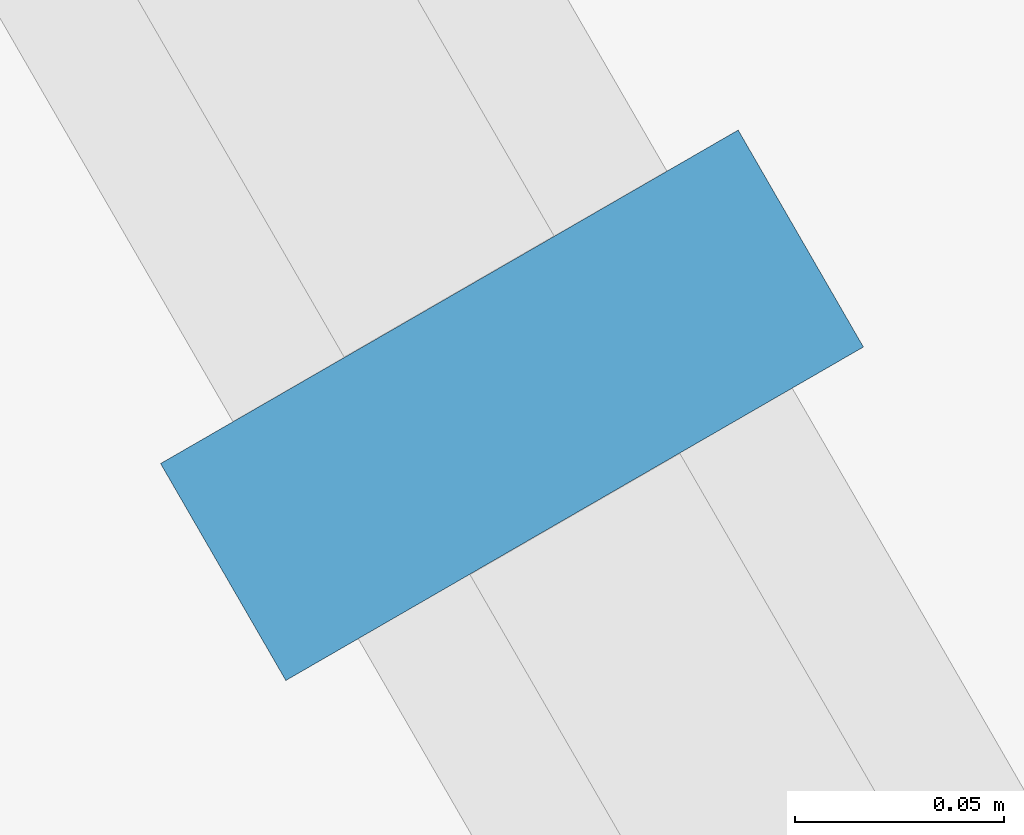
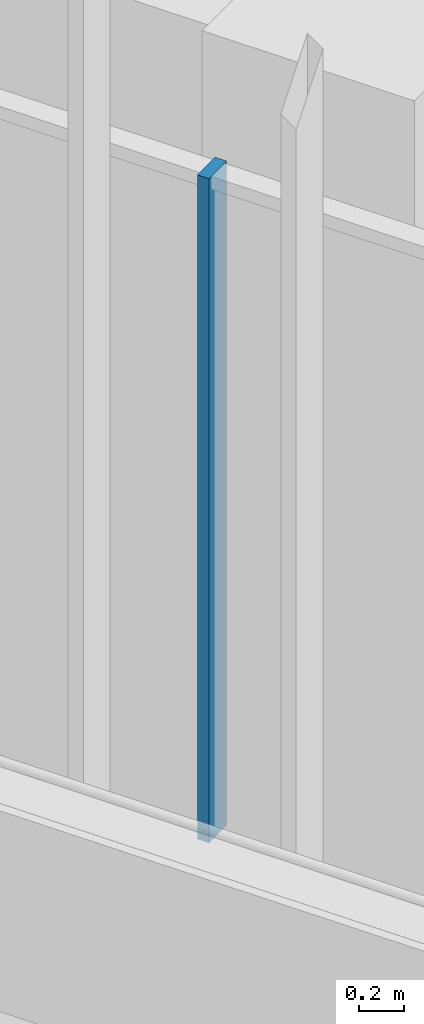
# One storey, part 22 of 127: 1 member, 1 element without a shape of its own.
"""IFC4 building model written with IfcOpenShell, lengths in metres."""

from ifc_helpers import new_model, si_unit, direction, frame, origin, origin_2d, place, context, subcontext, project, spatial, rectangle, extrude, material, material_profile, profile_set, type_object, element, aggregate, save


model = new_model("IFC4")

# Units and contexts
model_context = context("Model", 3, precision=1e-05, world=origin(), true_north=direction((0.0, 1.0)))
body_context = subcontext(model_context, "Body", "Model", "MODEL_VIEW")
ifc_project = project(units=[si_unit("LENGTHUNIT", "METRE"), si_unit("AREAUNIT", "SQUARE_METRE"), si_unit("VOLUMEUNIT", "CUBIC_METRE"), si_unit("PLANEANGLEUNIT", "RADIAN"), si_unit("MASSUNIT", "GRAM", prefix="KILO")], contexts=[model_context])

# Site, building, storey
site_placement = place(None, origin())
site = spatial("IfcSite", under=ifc_project, at=site_placement, CompositionType="ELEMENT")
building_placement = place(site_placement, origin())
building = spatial("IfcBuilding", under=site, at=building_placement, Name="Sandreach Pilgrim Tower", CompositionType="ELEMENT")
storey_placement = place(building_placement, frame((0.0, 0.0, 257.0)))
storey = spatial("IfcBuildingStorey", under=building, at=storey_placement, Name="L64", CompositionType="ELEMENT", Elevation=257.0)

# Curtain wall, member
ifc_material_1 = material(Name="Aluminium framed curtain wall", Category="aluminium")
curtain_wall_type = type_object("IfcCurtainWallType", Name="Suite tower curtain wall", PredefinedType="NOTDEFINED", material=ifc_material_1)
curtain_wall_placement = place(storey_placement, origin())
curtain_wall = element("IfcCurtainWall", 1, at=curtain_wall_placement, inside=storey, type_object=curtain_wall_type, Name="CW-4 L64 SW", PredefinedType="NOTDEFINED")
ifc_material_2 = material(Name="Aluminium extrusion", Category="aluminium")
ifc_material_profile = material_profile(ifc_material_2, rectangle(XDim=0.06005859375, YDim=0.159912109375, at=origin_2d()), Name="CW-4M 60X160")
ifc_profile_set = profile_set([ifc_material_profile], Name="Aluminium extrusion")
member_type = type_object("IfcMemberType", Name="CW-4 mullion", PredefinedType="MULLION", material=ifc_profile_set)
member_placement = place(storey_placement, frame((-18.07568359375, -8.344970703125, 0.0), z_axis=(0.0, 0.0, 1.0), x_axis=(-0.5, 0.866025403784, 0.0)))
member = element("IfcMember", 2, at=member_placement, type_object=member_type, Name="CW-4 mullion 6", PredefinedType="MULLION", context=body_context, shape_type="SweptSolid", body=[
    extrude(rectangle(XDim=0.06005859375, YDim=0.159912109375, at=origin_2d()), origin(), (0.0, 0.0, 1.0), 3.639892578125),
])
aggregate(curtain_wall, [member])

save(model, "model.ifc")
